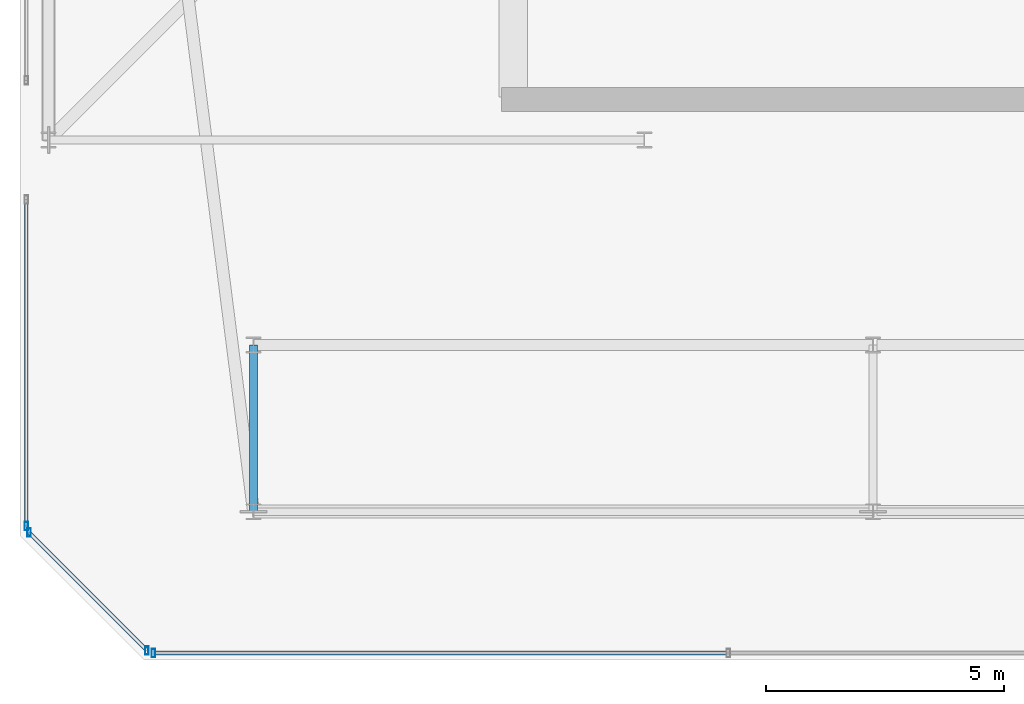
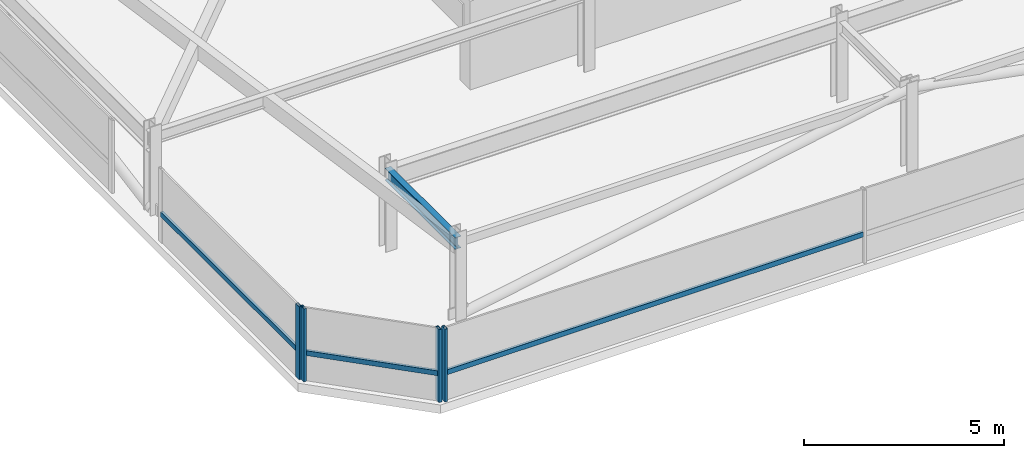
# One storey, part 7 of 42: 7 members, 1 beam, 3 elements without a shape of their own.
"""IFC4 building model written with IfcOpenShell, lengths in metres."""

from ifc_helpers import new_model, si_unit, direction, frame, origin, origin_2d, place, context, subcontext, project, spatial, hollow_rectangle, i_section, extrude, material, material_profile, profile_set, type_object, element, aggregate, save


model = new_model("IFC4")

# Units and contexts
model_context = context("Model", 3, precision=1e-05, world=origin(), true_north=direction((0.0, 1.0)))
body_context = subcontext(model_context, "Body", "Model", "MODEL_VIEW")
ifc_project = project(units=[si_unit("LENGTHUNIT", "METRE"), si_unit("AREAUNIT", "SQUARE_METRE"), si_unit("VOLUMEUNIT", "CUBIC_METRE"), si_unit("PLANEANGLEUNIT", "RADIAN"), si_unit("MASSUNIT", "GRAM", prefix="KILO")], contexts=[model_context])

# Site, building, storey
site_placement = place(None, origin())
site = spatial("IfcSite", under=ifc_project, at=site_placement, CompositionType="ELEMENT")
building_placement = place(site_placement, origin())
building = spatial("IfcBuilding", under=site, at=building_placement, Name="Thornwick Lancets Civic Towers", CompositionType="ELEMENT")
storey_placement = place(building_placement, frame((0.0, 0.0, 286.800048828125)))
storey = spatial("IfcBuildingStorey", under=building, at=storey_placement, Name="C03", CompositionType="ELEMENT", Elevation=286.800048828125)

# Beam
ifc_material_1 = material(Name="Steel S355JR", Category="steel")
ifc_material_profile_1 = material_profile(ifc_material_1, i_section(OverallWidth=0.173095703125, OverallDepth=0.36328125, WebThickness=0.009033203125, FlangeThickness=0.015625, FilletRadius=0.01025390625, at=origin_2d()), Name="UKB 356x171x67")
ifc_profile_set_1 = profile_set([ifc_material_profile_1], Name="Steel S355JR")
beam_type = type_object("IfcBeamType", Name="BM_JOIST_356_67", PredefinedType="JOIST", material=ifc_profile_set_1)
beam_placement = place(storey_placement, frame((12.5, 9.699951171875, 2.25830078125), z_axis=(0.0, -1.0, 0.0), x_axis=(1.0, 0.0, 0.0)))
element("IfcBeam", 1, at=beam_placement, inside=storey, type_object=beam_type, Name="BM-RAD-C03-A01", PredefinedType="JOIST", context=body_context, shape_type="SweptSolid", body=[
    extrude(i_section(OverallWidth=0.173095703125, OverallDepth=0.36328125, WebThickness=0.009033203125, FlangeThickness=0.015625, FilletRadius=0.01025390625, at=origin_2d()), origin(), (0.0, 0.0, 1.0), 3.5),
])

# Curtain wall, member
ifc_material_2 = material(Name="Crown ring acoustic-louvre and glazing screen wall", Category="glass")
curtain_wall_type = type_object("IfcCurtainWallType", Name="CW_SYS_07", PredefinedType="NOTDEFINED", material=ifc_material_2)
curtain_wall_1_placement = place(storey_placement, origin())
curtain_wall_1 = element("IfcCurtainWall", 2, at=curtain_wall_1_placement, inside=storey, type_object=curtain_wall_type, Name="C03 Curtain Wall CW-C03-A-E0", PredefinedType="NOTDEFINED")
ifc_material_3 = material(Name="Thermally broken bronze aluminium S355", Category="steel")
ifc_material_profile_2 = material_profile(ifc_material_3, hollow_rectangle(XDim=0.074951171875, YDim=0.179931640625, WallThickness=0.006103515625, at=origin_2d()), Name="RHS 180x75x6")
ifc_profile_set_2 = profile_set([ifc_material_profile_2], Name="Thermally broken bronze aluminium S355")
member_type_1 = type_object("IfcMemberType", Name="CW_MUL_180", PredefinedType="MULLION", material=ifc_profile_set_2)
member_1_placement = place(storey_placement, frame((10.398681640625, 3.2353515625, 0.0), z_axis=(0.0, 0.0, 1.0), x_axis=(1.0, 0.0, 0.0)))
member_1 = element("IfcMember", 3, at=member_1_placement, type_object=member_type_1, Name="CW-C03-A-E0 Mullion 0", PredefinedType="MULLION", context=body_context, shape_type="SweptSolid", body=[
    extrude(hollow_rectangle(XDim=0.074951171875, YDim=0.179931640625, WallThickness=0.006103515625, at=origin_2d()), origin(), (0.0, 0.0, 1.0), 2.219970703125),
])

curtain_wall_2_placement = place(storey_placement, origin())
curtain_wall_2 = element("IfcCurtainWall", 4, at=curtain_wall_2_placement, inside=storey, type_object=curtain_wall_type, Name="C03 Curtain Wall CW-C03-A-E6-S3", PredefinedType="NOTDEFINED")
member_2_placement = place(storey_placement, frame((7.7353515625, 5.898681640625, 0.0), z_axis=(0.0, 0.0, 1.0), x_axis=(1.0, 0.0, 0.0)))
member_2 = element("IfcMember", 5, at=member_2_placement, type_object=member_type_1, Name="CW-C03-A-E6-S3 Mullion 1", PredefinedType="MULLION", context=body_context, shape_type="SweptSolid", body=[
    extrude(hollow_rectangle(XDim=0.074951171875, YDim=0.179931640625, WallThickness=0.006103515625, at=origin_2d()), origin(), (0.0, 0.0, 1.0), 2.219970703125),
])

# Curtain wall, members
curtain_wall_3_placement = place(storey_placement, origin())
curtain_wall_3 = element("IfcCurtainWall", 6, at=curtain_wall_3_placement, inside=storey, type_object=curtain_wall_type, Name="C03 Curtain Wall CW-C03-A-E7", PredefinedType="NOTDEFINED")
member_3_placement = place(storey_placement, frame((7.7919921875, 5.761962890625, 0.0), z_axis=(0.0, 0.0, 1.0), x_axis=(1.0, 0.0, 0.0)))
member_3 = element("IfcMember", 7, at=member_3_placement, type_object=member_type_1, Name="CW-C03-A-E7 Mullion 0", PredefinedType="MULLION", context=body_context, shape_type="SweptSolid", body=[
    extrude(hollow_rectangle(XDim=0.074951171875, YDim=0.179931640625, WallThickness=0.006103515625, at=origin_2d()), origin(), (0.0, 0.0, 1.0), 2.219970703125),
])
member_4_placement = place(storey_placement, frame((10.261962890625, 3.2919921875, 0.0), z_axis=(0.0, 0.0, 1.0), x_axis=(1.0, 0.0, 0.0)))
member_4 = element("IfcMember", 8, at=member_4_placement, type_object=member_type_1, Name="CW-C03-A-E7 Mullion 1", PredefinedType="MULLION", context=body_context, shape_type="SweptSolid", body=[
    extrude(hollow_rectangle(XDim=0.074951171875, YDim=0.179931640625, WallThickness=0.006103515625, at=origin_2d()), origin(), (0.0, 0.0, 1.0), 2.219970703125),
])

# Member
ifc_material_profile_3 = material_profile(ifc_material_3, hollow_rectangle(XDim=0.074951171875, YDim=0.14990234375, WallThickness=0.0048828125, at=origin_2d()), Name="RHS 150x75x5")
ifc_profile_set_3 = profile_set([ifc_material_profile_3], Name="Thermally broken bronze aluminium S355")
member_type_2 = type_object("IfcMemberType", Name="CW_TRN_150", PredefinedType="USERDEFINED", material=ifc_profile_set_3)
member_5_placement = place(storey_placement, frame((10.418701171875, 3.2353515625, 0.849853515625), z_axis=(1.0, 0.0, 0.0), x_axis=(0.0, 1.0, 0.0)))
member_5 = element("IfcMember", 9, at=member_5_placement, type_object=member_type_2, Name="CW-C03-A-E0 Transom 0", ObjectType="TRANSOM", PredefinedType="USERDEFINED", context=body_context, shape_type="SweptSolid", body=[
    extrude(hollow_rectangle(XDim=0.074951171875, YDim=0.14990234375, WallThickness=0.0048828125, at=origin_2d()), origin(), (0.0, 0.0, 1.0), 12.027587890625),
])

aggregate(curtain_wall_1, [member_1, member_5])

member_6_placement = place(storey_placement, frame((7.7353515625, 12.72998046875, 0.849853515625), z_axis=(0.0, -1.0, 0.0), x_axis=(1.0, 0.0, 0.0)))
member_6 = element("IfcMember", 10, at=member_6_placement, type_object=member_type_2, Name="CW-C03-A-E6-S3 Transom 0", ObjectType="TRANSOM", PredefinedType="USERDEFINED", context=body_context, shape_type="SweptSolid", body=[
    extrude(hollow_rectangle(XDim=0.074951171875, YDim=0.14990234375, WallThickness=0.0048828125, at=origin_2d()), origin(), (0.0, 0.0, 1.0), 6.811279296875),
])

aggregate(curtain_wall_2, [member_2, member_6])

member_7_placement = place(storey_placement, frame((7.80615234375, 5.747802734375, 0.849853515625), z_axis=(0.707106781187, -0.707106781187, 0.0), x_axis=(0.707106781187, 0.707106781187, 0.0)))
member_7 = element("IfcMember", 11, at=member_7_placement, type_object=member_type_2, Name="CW-C03-A-E7 Transom 0", ObjectType="TRANSOM", PredefinedType="USERDEFINED", context=body_context, shape_type="SweptSolid", body=[
    extrude(hollow_rectangle(XDim=0.074951171875, YDim=0.14990234375, WallThickness=0.0048828125, at=origin_2d()), origin(), (0.0, 0.0, 1.0), 3.453125),
])

aggregate(curtain_wall_3, [member_3, member_4, member_7])

save(model, "model.ifc")
